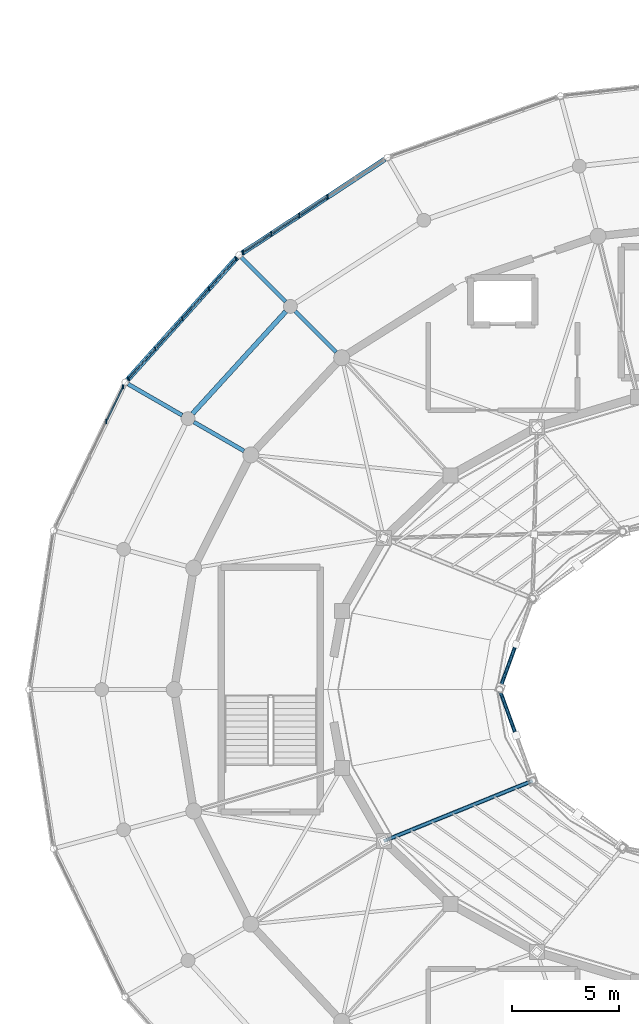
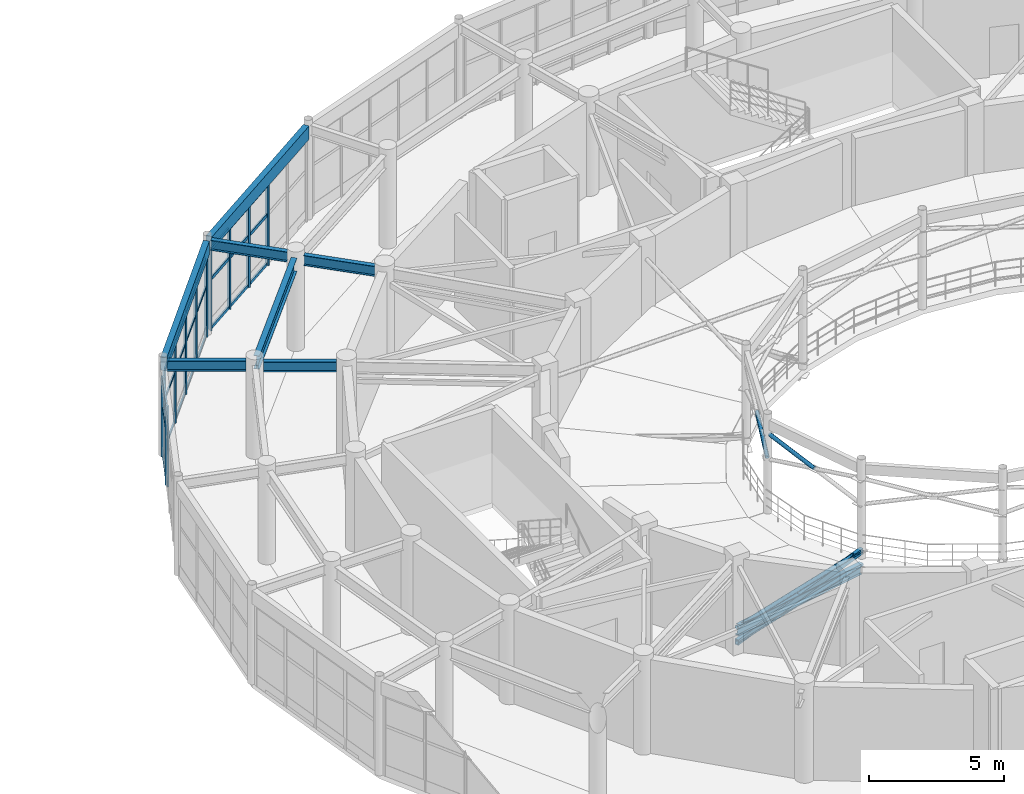
# One storey, part 44 of 112: 40 members, 8 beams, 3 elements without a shape of their own.
"""IFC4 building model written with IfcOpenShell, lengths in metres."""

from ifc_helpers import new_model, si_unit, direction, frame, origin, origin_2d, place, context, subcontext, project, spatial, rectangle, hollow_rectangle, hollow_circle, i_section, extrude, material, material_profile, profile_set, type_object, element, aggregate, save


model = new_model("IFC4")

# Units and contexts
model_context = context("Model", 3, precision=1e-05, world=origin(), true_north=direction((0.0, 1.0)))
body_context = subcontext(model_context, "Body", "Model", "MODEL_VIEW")
ifc_project = project(units=[si_unit("LENGTHUNIT", "METRE"), si_unit("AREAUNIT", "SQUARE_METRE"), si_unit("VOLUMEUNIT", "CUBIC_METRE"), si_unit("PLANEANGLEUNIT", "RADIAN"), si_unit("MASSUNIT", "GRAM", prefix="KILO")], contexts=[model_context])

# Site, building, storey
site_placement = place(None, origin())
site = spatial("IfcSite", under=ifc_project, at=site_placement, CompositionType="ELEMENT")
building_placement = place(site_placement, origin())
building = spatial("IfcBuilding", under=site, at=building_placement, Name="Cinderbank Siding Concert Hall", CompositionType="ELEMENT")
storey_placement = place(building_placement, frame((0.0, 0.0, 10.199951171875)))
storey = spatial("IfcBuildingStorey", under=building, at=storey_placement, Name="L03", CompositionType="ELEMENT", Elevation=10.199951171875)

# Beams
ifc_material_1 = material(Name="Structural steel AS/NZS 3679.1 Grade 350 (340 MPa)", Category="steel")
ifc_material_profile_1 = material_profile(ifc_material_1, i_section(OverallWidth=0.19091796875, OverallDepth=0.46044921875, WebThickness=0.010009765625, FlangeThickness=0.01611328125, at=origin_2d()), Name="460UB82.1", Category="LoadBearing")
ifc_profile_set_1 = profile_set([ifc_material_profile_1], Name="Structural steel AS/NZS 3679.1 Grade 350 (340 MPa)")
beam_type_1 = type_object("IfcBeamType", Name="BM-UB460H 460UB82.1", PredefinedType="BEAM", material=ifc_profile_set_1)
beam_1_placement = place(storey_placement, frame((111.951171875, 39.706298828125, -0.465087890625), z_axis=(-0.912895387141, -0.369940358119, 0.172528674635), x_axis=(0.375572253485, -0.926793117374, 0.0)))
element("IfcBeam", 1, at=beam_1_placement, inside=storey, type_object=beam_type_1, Name="L03 Beam BM-UB460H #106", PredefinedType="BEAM", context=body_context, shape_type="SweptSolid", body=[
    extrude(i_section(OverallWidth=0.19091796875, OverallDepth=0.46044921875, WebThickness=0.010009765625, FlangeThickness=0.01611328125, at=origin_2d()), origin(), (0.0, 0.0, 1.0), 7.53515625),
])
beam_2_placement = place(storey_placement, frame((102.7900390625, 59.81591796875, 4.011962890625), z_axis=(-0.707151723938, 0.707061835578, 0.0), x_axis=(-0.707061835578, -0.707151723938, 0.0)))
element("IfcBeam", 2, at=beam_2_placement, inside=storey, type_object=beam_type_1, Name="L03 Beam BM-UB460H #613", PredefinedType="BEAM", context=body_context, shape_type="SweptSolid", body=[
    extrude(i_section(OverallWidth=0.19091796875, OverallDepth=0.46044921875, WebThickness=0.010009765625, FlangeThickness=0.01611328125, at=origin_2d()), origin(), (0.0, 0.0, 1.0), 2.716064453125),
])
beam_3_placement = place(storey_placement, frame((98.47265625, 55.18359375, 4.011962890625), z_axis=(-0.866032896488, 0.499987022033, 0.0), x_axis=(-0.499987022033, -0.866032896488, 0.0)))
element("IfcBeam", 3, at=beam_3_placement, inside=storey, type_object=beam_type_1, Name="L03 Beam BM-UB460H #614", PredefinedType="BEAM", context=body_context, shape_type="SweptSolid", body=[
    extrude(i_section(OverallWidth=0.19091796875, OverallDepth=0.46044921875, WebThickness=0.010009765625, FlangeThickness=0.01611328125, at=origin_2d()), origin(), (0.0, 0.0, 1.0), 2.7158203125),
])
beam_4_placement = place(storey_placement, frame((100.421142578125, 62.184814453125, 4.0517578125), z_axis=(-0.707106781187, 0.707106781187, 0.0), x_axis=(-0.707106781187, -0.707106781187, 0.0)))
element("IfcBeam", 4, at=beam_4_placement, inside=storey, type_object=beam_type_1, Name="L03 Beam BM-UB460H #637", PredefinedType="BEAM", context=body_context, shape_type="SweptSolid", body=[
    extrude(i_section(OverallWidth=0.19091796875, OverallDepth=0.46044921875, WebThickness=0.010009765625, FlangeThickness=0.01611328125, at=origin_2d()), origin(), (0.0, 0.0, 1.0), 2.928955078125),
])
beam_5_placement = place(storey_placement, frame((95.571533203125, 56.8583984375, 4.0517578125), z_axis=(-0.866013467834, 0.500020673103, 0.0), x_axis=(-0.500020673103, -0.866013467834, 0.0)))
element("IfcBeam", 5, at=beam_5_placement, inside=storey, type_object=beam_type_1, Name="L03 Beam BM-UB460H #638", PredefinedType="BEAM", context=body_context, shape_type="SweptSolid", body=[
    extrude(i_section(OverallWidth=0.19091796875, OverallDepth=0.46044921875, WebThickness=0.010009765625, FlangeThickness=0.01611328125, at=origin_2d()), origin(), (0.0, 0.0, 1.0), 2.92919921875),
])
ifc_material_profile_2 = material_profile(ifc_material_1, i_section(OverallWidth=0.22802734375, OverallDepth=0.60693359375, WebThickness=0.01123046875, FlangeThickness=0.017333984375, at=origin_2d()), Name="610UB113", Category="LoadBearing")
ifc_profile_set_2 = profile_set([ifc_material_profile_2], Name="Structural steel AS/NZS 3679.1 Grade 350 (340 MPa)")
beam_type_2 = type_object("IfcBeamType", Name="BM-UB610M 610UB113", PredefinedType="BEAM", material=ifc_profile_set_2)
beam_6_placement = place(storey_placement, frame((100.431640625, 61.726318359375, 3.9384765625), z_axis=(-0.67395874418, -0.73876898361, 0.0), x_axis=(0.73876898361, -0.67395874418, 0.0)))
element("IfcBeam", 6, at=beam_6_placement, inside=storey, type_object=beam_type_2, Name="L03 Beam BM-UB610M #554", PredefinedType="BEAM", context=body_context, shape_type="SweptSolid", body=[
    extrude(i_section(OverallWidth=0.22802734375, OverallDepth=0.60693359375, WebThickness=0.01123046875, FlangeThickness=0.017333984375, at=origin_2d()), origin(), (0.0, 0.0, 1.0), 6.48681640625),
])

# Members
ifc_material_2 = material(Name="Structural steel hollow section AS/NZS 1163 Grade C350L0 (350 MPa)", Category="steel")
ifc_material_profile_3 = material_profile(ifc_material_2, hollow_circle(Radius=0.084228515625, WallThickness=0.007080078125, at=origin_2d()), Name="168.3x7.1CHS", Category="LoadBearing")
ifc_profile_set_3 = profile_set([ifc_material_profile_3], Name="Structural steel hollow section AS/NZS 1163 Grade C350L0 (350 MPa)")
member_type_1 = type_object("IfcMemberType", Name="BR-CHS168 168.3x7.1CHS Roof Truss", PredefinedType="BRACE", material=ifc_profile_set_3)
member_1_placement = place(storey_placement, frame((111.997314453125, 39.72509765625, 0.300048828125), z_axis=(-0.923134660568, -0.374103109511, 0.088708860396), x_axis=(0.375583811967, -0.926788433349, 0.0)))
element("IfcMember", 7, at=member_1_placement, inside=storey, type_object=member_type_1, Name="L03 Diagonal Brace BR-CHS168 #RKDG-BR-CHS168-L03-1951", PredefinedType="BRACE", context=body_context, shape_type="SweptSolid", body=[
    extrude(hollow_circle(Radius=0.084228515625, WallThickness=0.007080078125, at=origin_2d()), origin(), (0.0, 0.0, 1.0), 7.552001953125),
])
member_2_placement = place(storey_placement, frame((105.02587890625, 36.89990234375, 0.300048828125), z_axis=(0.923556143602, 0.374273916784, -0.0834451007), x_axis=(-0.375583811967, 0.926788433349, 0.0)))
element("IfcMember", 8, at=member_2_placement, inside=storey, type_object=member_type_1, Name="L03 Diagonal Brace BR-CHS168 #RKDG-BR-CHS168-L03-1952", PredefinedType="BRACE", context=body_context, shape_type="SweptSolid", body=[
    extrude(hollow_circle(Radius=0.084228515625, WallThickness=0.007080078125, at=origin_2d()), origin(), (0.0, 0.0, 1.0), 7.548583984375),
])
for number, where, z_axis, x_axis, name in (
    (9, (110.477294921875, 44.0751953125, 2.400146484375), (0.329389503602, 0.91007814446, 0.25151605494), (-0.94030604409, 0.340330050757, 0.0), "L03 Diagonal Brace BR-CHS168 #RKCR-BR-CHS168-L03-2085"),
    (10, (111.21875, 41.876220703125, 2.973876953125), (-0.329389503602, 0.91007814446, 0.25151605494), (-0.94030604409, -0.340330050757, 0.0), "L03 Diagonal Brace BR-CHS168 #RKCR-BR-CHS168-L03-2087-S197"),
):
    element("IfcMember", number, at=place(storey_placement, frame(where, z_axis=z_axis, x_axis=x_axis)), inside=storey, type_object=member_type_1, Name=name, PredefinedType="BRACE", context=body_context, shape_type="SweptSolid", body=[
        extrude(hollow_circle(Radius=0.084228515625, WallThickness=0.007080078125, at=origin_2d()), origin(), (0.0, 0.0, 1.0), 2.2509765625),
    ])

# Curtain wall, members
ifc_material_3 = material(Name="Anodised aluminium alloy 6063-T6", Category="aluminium")
curtain_wall_type_1 = type_object("IfcCurtainWallType", Name="CW-10 Unitised Acoustic Curtain Wall 7200x3500", PredefinedType="NOTDEFINED", material=ifc_material_3)
curtain_wall_1_placement = place(storey_placement, origin())
curtain_wall_1 = element("IfcCurtainWall", 11, at=curtain_wall_1_placement, inside=storey, type_object=curtain_wall_type_1, Name="L03 Curtain Wall CW-10 #34", PredefinedType="NOTDEFINED")
ifc_material_profile_4 = material_profile(ifc_material_3, rectangle(XDim=0.06005859375, YDim=0.159912109375, at=origin_2d()), Name="ALU-MULL-60x160", Category="LoadBearing")
ifc_profile_set_4 = profile_set([ifc_material_profile_4], Name="Anodised aluminium alloy 6063-T6")
member_type_2 = type_object("IfcMemberType", Name="CW-ML1 Mullion 60x160", PredefinedType="MULLION", material=ifc_profile_set_4)
member_3_placement = place(storey_placement, frame((98.08984375, 64.195556640625, 0.0), z_axis=(0.0, 0.0, 1.0), x_axis=(1.0, 0.0, 0.0)))
member_3 = element("IfcMember", 12, at=member_3_placement, type_object=member_type_2, Name="CW-L03-034 Mullion 0", PredefinedType="MULLION", context=body_context, shape_type="SweptSolid", body=[
    extrude(rectangle(XDim=0.06005859375, YDim=0.159912109375, at=origin_2d()), origin(), (0.0, 0.0, 1.0), 3.6669921875),
])
member_4_placement = place(storey_placement, frame((96.83056640625, 62.7890625, 0.0), z_axis=(0.0, 0.0, 1.0), x_axis=(1.0, 0.0, 0.0)))
member_4 = element("IfcMember", 13, at=member_4_placement, type_object=member_type_2, Name="CW-L03-034 Mullion 1", PredefinedType="MULLION", context=body_context, shape_type="SweptSolid", body=[
    extrude(rectangle(XDim=0.06005859375, YDim=0.159912109375, at=origin_2d()), origin(), (0.0, 0.0, 1.0), 3.6669921875),
])
member_5_placement = place(storey_placement, frame((95.5712890625, 61.38232421875, 0.0), z_axis=(0.0, 0.0, 1.0), x_axis=(1.0, 0.0, 0.0)))
member_5 = element("IfcMember", 14, at=member_5_placement, type_object=member_type_2, Name="CW-L03-034 Mullion 2", PredefinedType="MULLION", context=body_context, shape_type="SweptSolid", body=[
    extrude(rectangle(XDim=0.06005859375, YDim=0.159912109375, at=origin_2d()), origin(), (0.0, 0.0, 1.0), 3.6669921875),
])
member_6_placement = place(storey_placement, frame((94.31201171875, 59.9755859375, 0.0), z_axis=(0.0, 0.0, 1.0), x_axis=(1.0, 0.0, 0.0)))
member_6 = element("IfcMember", 15, at=member_6_placement, type_object=member_type_2, Name="CW-L03-034 Mullion 3", PredefinedType="MULLION", context=body_context, shape_type="SweptSolid", body=[
    extrude(rectangle(XDim=0.06005859375, YDim=0.159912109375, at=origin_2d()), origin(), (0.0, 0.0, 1.0), 3.6669921875),
])
member_7_placement = place(storey_placement, frame((93.052978515625, 58.569091796875, 0.0), z_axis=(0.0, 0.0, 1.0), x_axis=(1.0, 0.0, 0.0)))
member_7 = element("IfcMember", 16, at=member_7_placement, type_object=member_type_2, Name="CW-L03-034 Mullion 4", PredefinedType="MULLION", context=body_context, shape_type="SweptSolid", body=[
    extrude(rectangle(XDim=0.06005859375, YDim=0.159912109375, at=origin_2d()), origin(), (0.0, 0.0, 1.0), 3.6669921875),
])

curtain_wall_type_2 = type_object("IfcCurtainWallType", Name="CW-09 Unitised Acoustic Curtain Wall 8000x3500", PredefinedType="NOTDEFINED", material=ifc_material_3)
curtain_wall_2_placement = place(storey_placement, origin())
curtain_wall_2 = element("IfcCurtainWall", 17, at=curtain_wall_2_placement, inside=storey, type_object=curtain_wall_type_2, Name="L03 Curtain Wall CW-09 #33", PredefinedType="NOTDEFINED")
ifc_material_profile_5 = material_profile(ifc_material_3, rectangle(XDim=0.06494140625, YDim=0.199951171875, at=origin_2d()), Name="ALU-MULL-65x200", Category="LoadBearing")
ifc_profile_set_5 = profile_set([ifc_material_profile_5], Name="Anodised aluminium alloy 6063-T6")
member_type_3 = type_object("IfcMemberType", Name="CW-ML2 Mullion 65x200", PredefinedType="MULLION", material=ifc_profile_set_5)
member_8_placement = place(storey_placement, frame((102.378662109375, 67.085693359375, 0.0), z_axis=(0.0, 0.0, 1.0), x_axis=(1.0, 0.0, 0.0)))
member_8 = element("IfcMember", 18, at=member_8_placement, type_object=member_type_3, Name="CW-L03-033 Mullion 2", PredefinedType="MULLION", context=body_context, shape_type="SweptSolid", body=[
    extrude(rectangle(XDim=0.06494140625, YDim=0.199951171875, at=origin_2d()), origin(), (0.0, 0.0, 1.0), 3.6669921875),
])
member_9_placement = place(storey_placement, frame((101.0625, 66.220458984375, 0.0), z_axis=(0.0, 0.0, 1.0), x_axis=(1.0, 0.0, 0.0)))
member_9 = element("IfcMember", 19, at=member_9_placement, type_object=member_type_3, Name="CW-L03-033 Mullion 3", PredefinedType="MULLION", context=body_context, shape_type="SweptSolid", body=[
    extrude(rectangle(XDim=0.06494140625, YDim=0.199951171875, at=origin_2d()), origin(), (0.0, 0.0, 1.0), 3.6669921875),
])
member_10_placement = place(storey_placement, frame((99.74658203125, 65.35498046875, 0.0), z_axis=(0.0, 0.0, 1.0), x_axis=(1.0, 0.0, 0.0)))
member_10 = element("IfcMember", 20, at=member_10_placement, type_object=member_type_3, Name="CW-L03-033 Mullion 4", PredefinedType="MULLION", context=body_context, shape_type="SweptSolid", body=[
    extrude(rectangle(XDim=0.06494140625, YDim=0.199951171875, at=origin_2d()), origin(), (0.0, 0.0, 1.0), 3.6669921875),
])
member_11_placement = place(storey_placement, frame((98.430908203125, 64.489501953125, 0.0), z_axis=(0.0, 0.0, 1.0), x_axis=(1.0, 0.0, 0.0)))
member_11 = element("IfcMember", 21, at=member_11_placement, type_object=member_type_3, Name="CW-L03-033 Mullion 5", PredefinedType="MULLION", context=body_context, shape_type="SweptSolid", body=[
    extrude(rectangle(XDim=0.06494140625, YDim=0.199951171875, at=origin_2d()), origin(), (0.0, 0.0, 1.0), 3.6669921875),
])

curtain_wall_type_3 = type_object("IfcCurtainWallType", Name="CW-11 Unitised Acoustic Curtain Wall 6600x3500", PredefinedType="NOTDEFINED", material=ifc_material_3)
curtain_wall_3_placement = place(storey_placement, origin())
curtain_wall_3 = element("IfcCurtainWall", 22, at=curtain_wall_3_placement, inside=storey, type_object=curtain_wall_type_3, Name="L03 Curtain Wall CW-11 #35", PredefinedType="NOTDEFINED")
member_12_placement = place(storey_placement, frame((92.802734375, 58.19580078125, 0.0), z_axis=(0.0, 0.0, 1.0), x_axis=(1.0, 0.0, 0.0)))
member_12 = element("IfcMember", 23, at=member_12_placement, type_object=member_type_3, Name="CW-L03-035 Mullion 0", PredefinedType="MULLION", context=body_context, shape_type="SweptSolid", body=[
    extrude(rectangle(XDim=0.06494140625, YDim=0.199951171875, at=origin_2d()), origin(), (0.0, 0.0, 1.0), 3.6669921875),
])
member_13_placement = place(storey_placement, frame((92.012939453125, 56.561279296875, 0.0), z_axis=(0.0, 0.0, 1.0), x_axis=(1.0, 0.0, 0.0)))
member_13 = element("IfcMember", 24, at=member_13_placement, type_object=member_type_3, Name="CW-L03-035 Mullion 1", PredefinedType="MULLION", context=body_context, shape_type="SweptSolid", body=[
    extrude(rectangle(XDim=0.06494140625, YDim=0.199951171875, at=origin_2d()), origin(), (0.0, 0.0, 1.0), 3.6669921875),
])

# Member
ifc_material_profile_6 = material_profile(ifc_material_3, rectangle(XDim=0.06005859375, YDim=0.1201171875, at=origin_2d()), Name="ALU-TRAN-60x120", Category="LoadBearing")
ifc_profile_set_6 = profile_set([ifc_material_profile_6], Name="Anodised aluminium alloy 6063-T6")
member_type_4 = type_object("IfcMemberType", Name="CW-TR1 Transom 60x120", PredefinedType="USERDEFINED", material=ifc_profile_set_6)
member_14_placement = place(storey_placement, frame((98.02685546875, 64.125244140625, 0.06005859375), z_axis=(-0.667017441515, -0.745042101304, 0.0), x_axis=(0.745042101304, -0.667017441515, 0.0)))
member_14 = element("IfcMember", 25, at=member_14_placement, type_object=member_type_4, Name="CW-L03-034 Transom 0-0", ObjectType="TRANSOM", PredefinedType="USERDEFINED", context=body_context, shape_type="SweptSolid", body=[
    extrude(rectangle(XDim=0.06005859375, YDim=0.1201171875, at=origin_2d()), origin(), (0.0, 0.0, 1.0), 1.698974609375),
])

member_15_placement = place(storey_placement, frame((98.02685546875, 64.125244140625, 2.2734375), z_axis=(-0.667017441515, -0.745042101304, 0.0), x_axis=(0.745042101304, -0.667017441515, 0.0)))
member_15 = element("IfcMember", 26, at=member_15_placement, type_object=member_type_4, Name="CW-L03-034 Transom 0-1", ObjectType="TRANSOM", PredefinedType="USERDEFINED", context=body_context, shape_type="SweptSolid", body=[
    extrude(rectangle(XDim=0.06005859375, YDim=0.1201171875, at=origin_2d()), origin(), (0.0, 0.0, 1.0), 1.698974609375),
])

member_16_placement = place(storey_placement, frame((98.02685546875, 64.125244140625, 3.60693359375), z_axis=(-0.667017441515, -0.745042101304, 0.0), x_axis=(0.745042101304, -0.667017441515, 0.0)))
member_16 = element("IfcMember", 27, at=member_16_placement, type_object=member_type_4, Name="CW-L03-034 Transom 0-2", ObjectType="TRANSOM", PredefinedType="USERDEFINED", context=body_context, shape_type="SweptSolid", body=[
    extrude(rectangle(XDim=0.06005859375, YDim=0.1201171875, at=origin_2d()), origin(), (0.0, 0.0, 1.0), 1.698974609375),
])

member_17_placement = place(storey_placement, frame((96.767578125, 62.718505859375, 0.06005859375), z_axis=(-0.667017441515, -0.745042101304, 0.0), x_axis=(0.745042101304, -0.667017441515, 0.0)))
member_17 = element("IfcMember", 28, at=member_17_placement, type_object=member_type_4, Name="CW-L03-034 Transom 1-0", ObjectType="TRANSOM", PredefinedType="USERDEFINED", context=body_context, shape_type="SweptSolid", body=[
    extrude(rectangle(XDim=0.06005859375, YDim=0.1201171875, at=origin_2d()), origin(), (0.0, 0.0, 1.0), 1.698974609375),
])

member_18_placement = place(storey_placement, frame((96.767578125, 62.718505859375, 2.2734375), z_axis=(-0.667017441515, -0.745042101304, 0.0), x_axis=(0.745042101304, -0.667017441515, 0.0)))
member_18 = element("IfcMember", 29, at=member_18_placement, type_object=member_type_4, Name="CW-L03-034 Transom 1-1", ObjectType="TRANSOM", PredefinedType="USERDEFINED", context=body_context, shape_type="SweptSolid", body=[
    extrude(rectangle(XDim=0.06005859375, YDim=0.1201171875, at=origin_2d()), origin(), (0.0, 0.0, 1.0), 1.698974609375),
])

member_19_placement = place(storey_placement, frame((96.767578125, 62.718505859375, 3.60693359375), z_axis=(-0.667017441515, -0.745042101304, 0.0), x_axis=(0.745042101304, -0.667017441515, 0.0)))
member_19 = element("IfcMember", 30, at=member_19_placement, type_object=member_type_4, Name="CW-L03-034 Transom 1-2", ObjectType="TRANSOM", PredefinedType="USERDEFINED", context=body_context, shape_type="SweptSolid", body=[
    extrude(rectangle(XDim=0.06005859375, YDim=0.1201171875, at=origin_2d()), origin(), (0.0, 0.0, 1.0), 1.698974609375),
])

member_20_placement = place(storey_placement, frame((95.50830078125, 61.31201171875, 0.06005859375), z_axis=(-0.667017441515, -0.745042101304, 0.0), x_axis=(0.745042101304, -0.667017441515, 0.0)))
member_20 = element("IfcMember", 31, at=member_20_placement, type_object=member_type_4, Name="CW-L03-034 Transom 2-0", ObjectType="TRANSOM", PredefinedType="USERDEFINED", context=body_context, shape_type="SweptSolid", body=[
    extrude(rectangle(XDim=0.06005859375, YDim=0.1201171875, at=origin_2d()), origin(), (0.0, 0.0, 1.0), 1.698974609375),
])

member_21_placement = place(storey_placement, frame((95.50830078125, 61.31201171875, 2.2734375), z_axis=(-0.667017441515, -0.745042101304, 0.0), x_axis=(0.745042101304, -0.667017441515, 0.0)))
member_21 = element("IfcMember", 32, at=member_21_placement, type_object=member_type_4, Name="CW-L03-034 Transom 2-1", ObjectType="TRANSOM", PredefinedType="USERDEFINED", context=body_context, shape_type="SweptSolid", body=[
    extrude(rectangle(XDim=0.06005859375, YDim=0.1201171875, at=origin_2d()), origin(), (0.0, 0.0, 1.0), 1.698974609375),
])

member_22_placement = place(storey_placement, frame((95.50830078125, 61.31201171875, 3.60693359375), z_axis=(-0.667017441515, -0.745042101304, 0.0), x_axis=(0.745042101304, -0.667017441515, 0.0)))
member_22 = element("IfcMember", 33, at=member_22_placement, type_object=member_type_4, Name="CW-L03-034 Transom 2-2", ObjectType="TRANSOM", PredefinedType="USERDEFINED", context=body_context, shape_type="SweptSolid", body=[
    extrude(rectangle(XDim=0.06005859375, YDim=0.1201171875, at=origin_2d()), origin(), (0.0, 0.0, 1.0), 1.698974609375),
])

member_23_placement = place(storey_placement, frame((94.249267578125, 59.905517578125, 0.06005859375), z_axis=(-0.667025792822, -0.745034624504, 0.0), x_axis=(0.745034624504, -0.667025792822, 0.0)))
member_23 = element("IfcMember", 34, at=member_23_placement, type_object=member_type_4, Name="CW-L03-034 Transom 3-0", ObjectType="TRANSOM", PredefinedType="USERDEFINED", context=body_context, shape_type="SweptSolid", body=[
    extrude(rectangle(XDim=0.06005859375, YDim=0.1201171875, at=origin_2d()), origin(), (0.0, 0.0, 1.0), 1.699462890625),
])

member_24_placement = place(storey_placement, frame((94.249267578125, 59.905517578125, 2.2734375), z_axis=(-0.667025792822, -0.745034624504, 0.0), x_axis=(0.745034624504, -0.667025792822, 0.0)))
member_24 = element("IfcMember", 35, at=member_24_placement, type_object=member_type_4, Name="CW-L03-034 Transom 3-1", ObjectType="TRANSOM", PredefinedType="USERDEFINED", context=body_context, shape_type="SweptSolid", body=[
    extrude(rectangle(XDim=0.06005859375, YDim=0.1201171875, at=origin_2d()), origin(), (0.0, 0.0, 1.0), 1.699462890625),
])

member_25_placement = place(storey_placement, frame((94.249267578125, 59.905517578125, 3.60693359375), z_axis=(-0.667025792822, -0.745034624504, 0.0), x_axis=(0.745034624504, -0.667025792822, 0.0)))
member_25 = element("IfcMember", 36, at=member_25_placement, type_object=member_type_4, Name="CW-L03-034 Transom 3-2", ObjectType="TRANSOM", PredefinedType="USERDEFINED", context=body_context, shape_type="SweptSolid", body=[
    extrude(rectangle(XDim=0.06005859375, YDim=0.1201171875, at=origin_2d()), origin(), (0.0, 0.0, 1.0), 1.699462890625),
])

aggregate(curtain_wall_1, [member_3, member_4, member_5, member_6, member_7, member_14, member_15, member_16, member_17, member_18, member_19, member_20, member_21, member_22, member_23, member_24, member_25])

ifc_material_profile_7 = material_profile(ifc_material_3, rectangle(XDim=0.06494140625, YDim=0.14990234375, at=origin_2d()), Name="ALU-TRAN-65x150", Category="LoadBearing")
ifc_profile_set_7 = profile_set([ifc_material_profile_7], Name="Anodised aluminium alloy 6063-T6")
member_type_5 = type_object("IfcMemberType", Name="CW-TR2 Transom 65x150", PredefinedType="USERDEFINED", material=ifc_profile_set_7)
member_26_placement = place(storey_placement, frame((102.312744140625, 67.04248046875, 0.06005859375), z_axis=(-0.835531529407, -0.549442502331, 0.0), x_axis=(0.549442502331, -0.835531529407, 0.0)))
member_26 = element("IfcMember", 37, at=member_26_placement, type_object=member_type_5, Name="CW-L03-033 Transom 2-0", ObjectType="TRANSOM", PredefinedType="USERDEFINED", context=body_context, shape_type="SweptSolid", body=[
    extrude(rectangle(XDim=0.06494140625, YDim=0.14990234375, at=origin_2d()), origin(), (0.0, 0.0, 1.0), 1.41748046875),
])

member_27_placement = place(storey_placement, frame((102.312744140625, 67.04248046875, 2.2734375), z_axis=(-0.835531529407, -0.549442502331, 0.0), x_axis=(0.549442502331, -0.835531529407, 0.0)))
member_27 = element("IfcMember", 38, at=member_27_placement, type_object=member_type_5, Name="CW-L03-033 Transom 2-1", ObjectType="TRANSOM", PredefinedType="USERDEFINED", context=body_context, shape_type="SweptSolid", body=[
    extrude(rectangle(XDim=0.06494140625, YDim=0.14990234375, at=origin_2d()), origin(), (0.0, 0.0, 1.0), 1.41748046875),
])

member_28_placement = place(storey_placement, frame((102.312744140625, 67.04248046875, 3.60693359375), z_axis=(-0.835531529407, -0.549442502331, 0.0), x_axis=(0.549442502331, -0.835531529407, 0.0)))
member_28 = element("IfcMember", 39, at=member_28_placement, type_object=member_type_5, Name="CW-L03-033 Transom 2-2", ObjectType="TRANSOM", PredefinedType="USERDEFINED", context=body_context, shape_type="SweptSolid", body=[
    extrude(rectangle(XDim=0.06494140625, YDim=0.14990234375, at=origin_2d()), origin(), (0.0, 0.0, 1.0), 1.41748046875),
])

member_29_placement = place(storey_placement, frame((100.996826171875, 66.177001953125, 0.06005859375), z_axis=(-0.835531529407, -0.549442502331, 0.0), x_axis=(0.549442502331, -0.835531529407, 0.0)))
member_29 = element("IfcMember", 40, at=member_29_placement, type_object=member_type_5, Name="CW-L03-033 Transom 3-0", ObjectType="TRANSOM", PredefinedType="USERDEFINED", context=body_context, shape_type="SweptSolid", body=[
    extrude(rectangle(XDim=0.06494140625, YDim=0.14990234375, at=origin_2d()), origin(), (0.0, 0.0, 1.0), 1.41748046875),
])

member_30_placement = place(storey_placement, frame((100.996826171875, 66.177001953125, 2.2734375), z_axis=(-0.835531529407, -0.549442502331, 0.0), x_axis=(0.549442502331, -0.835531529407, 0.0)))
member_30 = element("IfcMember", 41, at=member_30_placement, type_object=member_type_5, Name="CW-L03-033 Transom 3-1", ObjectType="TRANSOM", PredefinedType="USERDEFINED", context=body_context, shape_type="SweptSolid", body=[
    extrude(rectangle(XDim=0.06494140625, YDim=0.14990234375, at=origin_2d()), origin(), (0.0, 0.0, 1.0), 1.41748046875),
])

member_31_placement = place(storey_placement, frame((100.996826171875, 66.177001953125, 3.60693359375), z_axis=(-0.835531529407, -0.549442502331, 0.0), x_axis=(0.549442502331, -0.835531529407, 0.0)))
member_31 = element("IfcMember", 42, at=member_31_placement, type_object=member_type_5, Name="CW-L03-033 Transom 3-2", ObjectType="TRANSOM", PredefinedType="USERDEFINED", context=body_context, shape_type="SweptSolid", body=[
    extrude(rectangle(XDim=0.06494140625, YDim=0.14990234375, at=origin_2d()), origin(), (0.0, 0.0, 1.0), 1.41748046875),
])

member_32_placement = place(storey_placement, frame((99.680908203125, 65.3115234375, 0.06005859375), z_axis=(-0.835531529407, -0.549442502331, 0.0), x_axis=(0.549442502331, -0.835531529407, 0.0)))
member_32 = element("IfcMember", 43, at=member_32_placement, type_object=member_type_5, Name="CW-L03-033 Transom 4-0", ObjectType="TRANSOM", PredefinedType="USERDEFINED", context=body_context, shape_type="SweptSolid", body=[
    extrude(rectangle(XDim=0.06494140625, YDim=0.14990234375, at=origin_2d()), origin(), (0.0, 0.0, 1.0), 1.41748046875),
])

member_33_placement = place(storey_placement, frame((99.680908203125, 65.3115234375, 2.2734375), z_axis=(-0.835531529407, -0.549442502331, 0.0), x_axis=(0.549442502331, -0.835531529407, 0.0)))
member_33 = element("IfcMember", 44, at=member_33_placement, type_object=member_type_5, Name="CW-L03-033 Transom 4-1", ObjectType="TRANSOM", PredefinedType="USERDEFINED", context=body_context, shape_type="SweptSolid", body=[
    extrude(rectangle(XDim=0.06494140625, YDim=0.14990234375, at=origin_2d()), origin(), (0.0, 0.0, 1.0), 1.41748046875),
])

member_34_placement = place(storey_placement, frame((99.680908203125, 65.3115234375, 3.60693359375), z_axis=(-0.835531529407, -0.549442502331, 0.0), x_axis=(0.549442502331, -0.835531529407, 0.0)))
member_34 = element("IfcMember", 45, at=member_34_placement, type_object=member_type_5, Name="CW-L03-033 Transom 4-2", ObjectType="TRANSOM", PredefinedType="USERDEFINED", context=body_context, shape_type="SweptSolid", body=[
    extrude(rectangle(XDim=0.06494140625, YDim=0.14990234375, at=origin_2d()), origin(), (0.0, 0.0, 1.0), 1.41748046875),
])

aggregate(curtain_wall_2, [member_8, member_9, member_10, member_11, member_26, member_27, member_28, member_29, member_30, member_31, member_32, member_33, member_34])

member_35_placement = place(storey_placement, frame((92.76318359375, 58.114013671875, 0.06005859375), z_axis=(-0.435037415308, -0.900412376238, 0.0), x_axis=(0.900412376238, -0.435037415308, 0.0)))
member_35 = element("IfcMember", 46, at=member_35_placement, type_object=member_type_5, Name="CW-L03-035 Transom 0-0", ObjectType="TRANSOM", PredefinedType="USERDEFINED", context=body_context, shape_type="SweptSolid", body=[
    extrude(rectangle(XDim=0.06494140625, YDim=0.14990234375, at=origin_2d()), origin(), (0.0, 0.0, 1.0), 1.633544921875),
])

member_36_placement = place(storey_placement, frame((92.76318359375, 58.114013671875, 2.2734375), z_axis=(-0.435037415308, -0.900412376238, 0.0), x_axis=(0.900412376238, -0.435037415308, 0.0)))
member_36 = element("IfcMember", 47, at=member_36_placement, type_object=member_type_5, Name="CW-L03-035 Transom 0-1", ObjectType="TRANSOM", PredefinedType="USERDEFINED", context=body_context, shape_type="SweptSolid", body=[
    extrude(rectangle(XDim=0.06494140625, YDim=0.14990234375, at=origin_2d()), origin(), (0.0, 0.0, 1.0), 1.633544921875),
])

member_37_placement = place(storey_placement, frame((92.76318359375, 58.114013671875, 3.60693359375), z_axis=(-0.435037415308, -0.900412376238, 0.0), x_axis=(0.900412376238, -0.435037415308, 0.0)))
member_37 = element("IfcMember", 48, at=member_37_placement, type_object=member_type_5, Name="CW-L03-035 Transom 0-2", ObjectType="TRANSOM", PredefinedType="USERDEFINED", context=body_context, shape_type="SweptSolid", body=[
    extrude(rectangle(XDim=0.06494140625, YDim=0.14990234375, at=origin_2d()), origin(), (0.0, 0.0, 1.0), 1.633544921875),
])

aggregate(curtain_wall_3, [member_12, member_13, member_35, member_36, member_37])

# Beams
ifc_material_4 = material(Name="Spotted gum glulam timber GL18 (42 MPa)", Category="wood")
ifc_material_profile_8 = material_profile(ifc_material_4, rectangle(XDim=0.239990234375, YDim=0.60009765625, at=origin_2d()), Name="GL18-240x600", Category="LoadBearing")
ifc_profile_set_8 = profile_set([ifc_material_profile_8], Name="Spotted gum glulam timber GL18 (42 MPa)")
beam_type_3 = type_object("IfcBeamType", Name="SP-GL600 GL18-240x600", PredefinedType="SPANDREL", material=ifc_profile_set_8)
beam_7_placement = place(storey_placement, frame((105.0712890625, 68.85693359375, 3.98193359375), z_axis=(-0.835480702777, -0.549519786074, 0.0), x_axis=(0.549519786074, -0.835480702777, 0.0)))
element("IfcBeam", 49, at=beam_7_placement, inside=storey, type_object=beam_type_3, Name="L03 Beam SP-GL600 #577", PredefinedType="SPANDREL", context=body_context, shape_type="SweptSolid", body=[
    extrude(rectangle(XDim=0.239990234375, YDim=0.60009765625, at=origin_2d()), origin(), (0.0, 0.0, 1.0), 8.02099609375),
])
beam_8_placement = place(storey_placement, frame((98.138427734375, 64.25, 3.98193359375), z_axis=(-0.666985816213, -0.745070413432, 0.0), x_axis=(0.745070413432, -0.666985816213, 0.0)))
element("IfcBeam", 50, at=beam_8_placement, inside=storey, type_object=beam_type_3, Name="L03 Beam SP-GL600 #578", PredefinedType="SPANDREL", context=body_context, shape_type="SweptSolid", body=[
    extrude(rectangle(XDim=0.239990234375, YDim=0.60009765625, at=origin_2d()), origin(), (0.0, 0.0, 1.0), 7.69775390625),
])

# Member
ifc_material_profile_9 = material_profile(ifc_material_2, hollow_rectangle(XDim=0.14990234375, YDim=0.25, WallThickness=0.009033203125, at=origin_2d()), Name="250x150x9.0RHS", Category="LoadBearing")
ifc_profile_set_9 = profile_set([ifc_material_profile_9], Name="Structural steel hollow section AS/NZS 1163 Grade C350L0 (350 MPa)")
member_type_6 = type_object("IfcMemberType", Name="TR-RHS250 250x150x9.0RHS Roof Truss", PredefinedType="RAFTER", material=ifc_profile_set_9)
member_38_placement = place(storey_placement, frame((111.997314453125, 39.72509765625, 0.300048828125), z_axis=(-0.926788433349, -0.375583811967, 0.0), x_axis=(0.375583811967, -0.926788433349, 0.0)))
element("IfcMember", 51, at=member_38_placement, inside=storey, type_object=member_type_6, Name="L03 Roof Truss Member TR-RHS250 #1950", PredefinedType="RAFTER", context=body_context, shape_type="SweptSolid", body=[
    extrude(hollow_rectangle(XDim=0.14990234375, YDim=0.25, WallThickness=0.009033203125, at=origin_2d()), origin(), (0.0, 0.0, 1.0), 7.522216796875),
])

save(model, "model.ifc")
